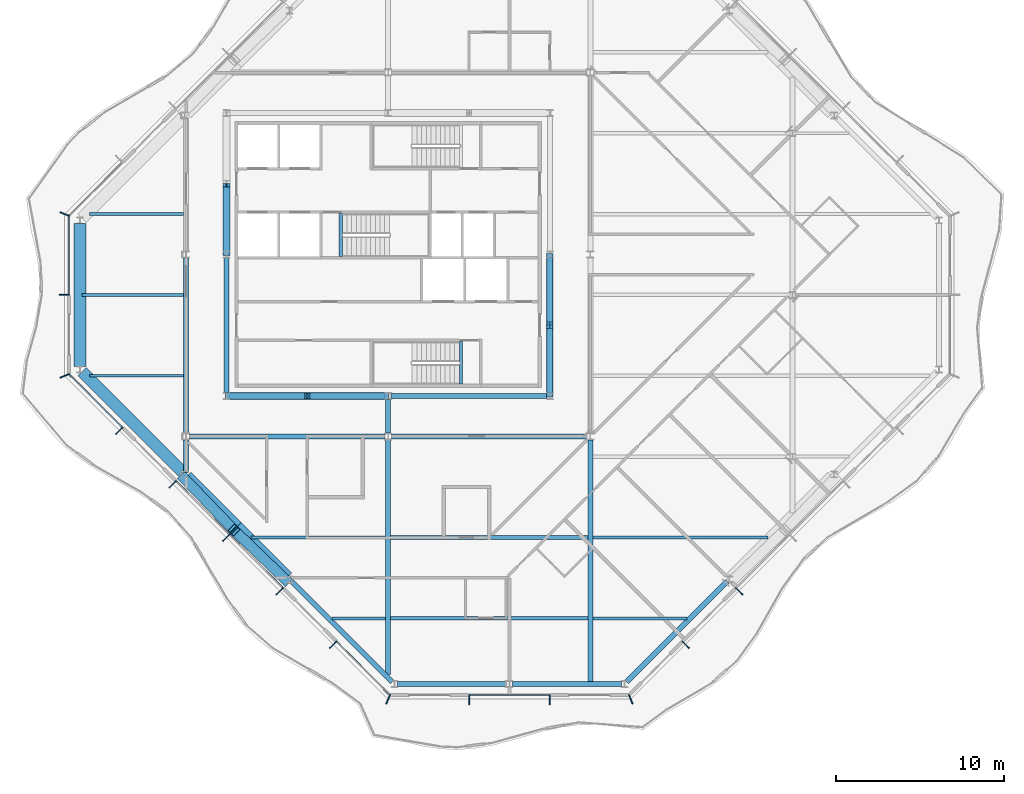
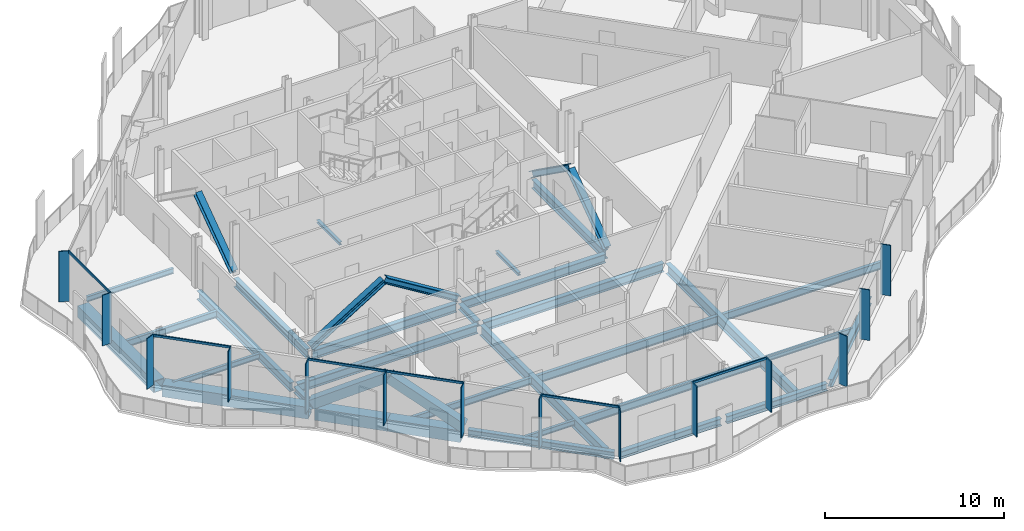
# One storey, part 3 of 17: 30 beams, 27 members, 4 elements without a shape of their own.
"""IFC4 building model written with IfcOpenShell, lengths in metres."""

from ifc_helpers import new_model, si_unit, direction, frame, origin, origin_2d, place, context, subcontext, project, spatial, rectangle, hollow_rectangle, i_section, extrude, material, material_profile, profile_set, type_object, element, aggregate, save


model = new_model("IFC4")

# Units and contexts
model_context = context("Model", 3, precision=1e-05, world=origin(), true_north=direction((0.0, 1.0)))
body_context = subcontext(model_context, "Body", "Model", "MODEL_VIEW")
ifc_project = project(units=[si_unit("LENGTHUNIT", "METRE"), si_unit("AREAUNIT", "SQUARE_METRE"), si_unit("VOLUMEUNIT", "CUBIC_METRE"), si_unit("PLANEANGLEUNIT", "RADIAN"), si_unit("MASSUNIT", "GRAM", prefix="KILO")], contexts=[model_context])

# Site, building, storey
site_placement = place(None, origin())
site = spatial("IfcSite", under=ifc_project, at=site_placement, CompositionType="ELEMENT")
building_placement = place(site_placement, origin())
building = spatial("IfcBuilding", under=site, at=building_placement, Name="Cairn Pilgrim Tower", CompositionType="ELEMENT")
storey_placement = place(building_placement, frame((0.0, 0.0, 281.39990234375)))
storey = spatial("IfcBuildingStorey", under=building, at=storey_placement, Name="L72", CompositionType="ELEMENT", Elevation=281.39990234375)

# Members
ifc_material_1 = material(Name="Structural steel S460M", Category="steel")
ifc_material_profile_1 = material_profile(ifc_material_1, hollow_rectangle(XDim=0.60009765625, YDim=0.60009765625, WallThickness=0.034912109375, at=origin_2d()), Name="BOX 600x600x35")
ifc_profile_set_1 = profile_set([ifc_material_profile_1], Name="Structural steel S460M")
member_type_1 = type_object("IfcMemberType", Name="BOX 600x600x35 BRACE", PredefinedType="BRACE", material=ifc_profile_set_1)
for number, where, z_axis, x_axis, name in (
    (1, (-4.98779296875, -10.80224609375, 0.150146484375), (0.591484186561, -0.613676351503, 0.5230179659), (0.720005582767, 0.693968270733, 0.0), "XB-SW2-SW3-1"),
    (2, (1.19775390625, -16.98779296875, 0.150146484375), (-0.613676351503, 0.591484186561, 0.5230179659), (-0.693968270733, -0.720005582767, 0.0), "XB-SW2-SW3-2"),
):
    element("IfcMember", number, at=place(storey_placement, frame(where, z_axis=z_axis, x_axis=x_axis)), inside=storey, type_object=member_type_1, Name=name, PredefinedType="BRACE", context=body_context, shape_type="SweptSolid", body=[
        extrude(hollow_rectangle(XDim=0.60009765625, YDim=0.60009765625, WallThickness=0.034912109375, at=origin_2d()), origin(), (0.0, 0.0, 1.0), 5.03857421875),
    ])

# Beams
ifc_material_2 = material(Name="Structural steel S355J2", Category="steel")
ifc_material_profile_2 = material_profile(ifc_material_2, hollow_rectangle(XDim=0.699951171875, YDim=0.800048828125, WallThickness=0.0400390625, at=origin_2d()), Name="BOX 700x800x40")
ifc_profile_set_2 = profile_set([ifc_material_profile_2], Name="Structural steel S355J2")
beam_type_1 = type_object("IfcBeamType", Name="BOX 700x800x40 RING GIRDER", PredefinedType="SPANDREL", material=ifc_profile_set_2)
beam_1_placement = place(storey_placement, frame((-11.10009765625, 4.251220703125, -0.5498046875), z_axis=(0.0, -1.0, 0.0), x_axis=(1.0, 0.0, 0.0)))
element("IfcBeam", 3, at=beam_1_placement, inside=storey, type_object=beam_type_1, Name="RG4-W1-SW1", PredefinedType="SPANDREL", context=body_context, shape_type="SweptSolid", body=[
    extrude(hollow_rectangle(XDim=0.699951171875, YDim=0.800048828125, WallThickness=0.0400390625, at=origin_2d()), origin(), (0.0, 0.0, 1.0), 8.50244140625),
])
beam_2_placement = place(storey_placement, frame((-10.9755859375, -4.551513671875, -0.5498046875), z_axis=(0.707092335843, -0.707121226235, 0.0), x_axis=(0.707121226235, 0.707092335843, 0.0)))
element("IfcBeam", 4, at=beam_2_placement, inside=storey, type_object=beam_type_1, Name="RG4-SW1-SW2", PredefinedType="SPANDREL", context=body_context, shape_type="SweptSolid", body=[
    extrude(hollow_rectangle(XDim=0.699951171875, YDim=0.800048828125, WallThickness=0.0400390625, at=origin_2d()), origin(), (0.0, 0.0, 1.0), 8.45068359375),
])
for number, where, z_axis, x_axis, name in (
    (5, (-4.751220703125, -10.77587890625, -0.5498046875), (0.707077889614, -0.707135671578, 0.0), (0.707135671578, 0.707077889614, 0.0), "RG4-SW2-SW3-1"),
    (6, (-1.763671875, -13.763671875, -0.5498046875), (0.707135671578, -0.707077889614, 0.0), (0.707077889614, 0.707135671578, 0.0), "RG4-SW2-SW3-2"),
):
    element("IfcBeam", number, at=place(storey_placement, frame(where, z_axis=z_axis, x_axis=x_axis)), inside=storey, type_object=beam_type_1, Name=name, PredefinedType="SPANDREL", context=body_context, shape_type="SweptSolid", body=[
        extrude(hollow_rectangle(XDim=0.699951171875, YDim=0.800048828125, WallThickness=0.0400390625, at=origin_2d()), origin(), (0.0, 0.0, 1.0), 4.22509765625),
    ])

# Curtain wall, members
ifc_material_3 = material(Name="Aluminium alloy 6063-T6 bronze anodised with Bronze tinted laminated low-E glass 8+16+8.8", Category="aluminium")
curtain_wall_type = type_object("IfcCurtainWallType", Name="CROWN CURTAIN WALL", PredefinedType="NOTDEFINED", material=ifc_material_3)
curtain_wall_1_placement = place(storey_placement, origin())
curtain_wall_1 = element("IfcCurtainWall", 7, at=curtain_wall_1_placement, inside=storey, type_object=curtain_wall_type, Name="Crown Curtain Wall S", PredefinedType="NOTDEFINED")
ifc_material_4 = material(Name="Aluminium alloy 6063-T6 bronze anodised", Category="aluminium")
ifc_material_profile_3 = material_profile(ifc_material_4, rectangle(XDim=0.60009765625, YDim=0.06005859375, at=origin_2d()), Name="FIN MULLION 60x600 BRONZE")
ifc_profile_set_3 = profile_set([ifc_material_profile_3], Name="Aluminium alloy 6063-T6 bronze anodised")
member_type_2 = type_object("IfcMemberType", Name="FIN MULLION 60x600 BRONZE", PredefinedType="MULLION", material=ifc_profile_set_3)
member_1_placement = place(storey_placement, frame((7.2001953125, -23.99951171875, 0.0), z_axis=(0.0, 0.0, 1.0), x_axis=(-0.382683432365, -0.923879532511, 0.0)))
member_1 = element("IfcMember", 8, at=member_1_placement, type_object=member_type_2, Name="Fin mullion S1", PredefinedType="MULLION", context=body_context, shape_type="SweptSolid", body=[
    extrude(rectangle(XDim=0.60009765625, YDim=0.06005859375, at=origin_2d()), origin(), (0.0, 0.0, 1.0), 3.4501953125),
])
member_2_placement = place(storey_placement, frame((12.0, -24.02001953125, 0.0), z_axis=(0.0, 0.0, 1.0), x_axis=(0.0, -1.0, 0.0)))
member_2 = element("IfcMember", 9, at=member_2_placement, type_object=member_type_2, Name="Fin mullion S2", PredefinedType="MULLION", context=body_context, shape_type="SweptSolid", body=[
    extrude(rectangle(XDim=0.60009765625, YDim=0.06005859375, at=origin_2d()), origin(), (0.0, 0.0, 1.0), 3.4501953125),
])
member_3_placement = place(storey_placement, frame((16.800048828125, -24.02001953125, 0.0), z_axis=(0.0, 0.0, 1.0), x_axis=(0.0, -1.0, 0.0)))
member_3 = element("IfcMember", 10, at=member_3_placement, type_object=member_type_2, Name="Fin mullion S3", PredefinedType="MULLION", context=body_context, shape_type="SweptSolid", body=[
    extrude(rectangle(XDim=0.60009765625, YDim=0.06005859375, at=origin_2d()), origin(), (0.0, 0.0, 1.0), 3.4501953125),
])

curtain_wall_2_placement = place(storey_placement, origin())
curtain_wall_2 = element("IfcCurtainWall", 11, at=curtain_wall_2_placement, inside=storey, type_object=curtain_wall_type, Name="Crown Curtain Wall SE", PredefinedType="NOTDEFINED")
member_4_placement = place(storey_placement, frame((21.599853515625, -23.99951171875, 0.0), z_axis=(0.0, 0.0, 1.0), x_axis=(0.382683432365, -0.923879532511, 0.0)))
member_4 = element("IfcMember", 12, at=member_4_placement, type_object=member_type_2, Name="Fin mullion SE1", PredefinedType="MULLION", context=body_context, shape_type="SweptSolid", body=[
    extrude(rectangle(XDim=0.60009765625, YDim=0.06005859375, at=origin_2d()), origin(), (0.0, 0.0, 1.0), 3.4501953125),
])
member_5_placement = place(storey_placement, frame((24.863037109375, -20.765380859375, 0.0), z_axis=(0.0, 0.0, 1.0), x_axis=(0.707106781187, -0.707106781187, 0.0)))
member_5 = element("IfcMember", 13, at=member_5_placement, type_object=member_type_2, Name="Fin mullion SE2", PredefinedType="MULLION", context=body_context, shape_type="SweptSolid", body=[
    extrude(rectangle(XDim=0.60009765625, YDim=0.06005859375, at=origin_2d()), origin(), (0.0, 0.0, 1.0), 3.4501953125),
])
member_6_placement = place(storey_placement, frame((28.03857421875, -17.58984375, 0.0), z_axis=(0.0, 0.0, 1.0), x_axis=(0.707106781187, -0.707106781187, 0.0)))
member_6 = element("IfcMember", 14, at=member_6_placement, type_object=member_type_2, Name="Fin mullion SE3", PredefinedType="MULLION", context=body_context, shape_type="SweptSolid", body=[
    extrude(rectangle(XDim=0.60009765625, YDim=0.06005859375, at=origin_2d()), origin(), (0.0, 0.0, 1.0), 3.4501953125),
])
aggregate(curtain_wall_2, [member_4, member_5, member_6])

curtain_wall_3_placement = place(storey_placement, origin())
curtain_wall_3 = element("IfcCurtainWall", 15, at=curtain_wall_3_placement, inside=storey, type_object=curtain_wall_type, Name="Crown Curtain Wall W", PredefinedType="NOTDEFINED")
member_7_placement = place(storey_placement, frame((-11.99951171875, 4.7998046875, 0.0), z_axis=(0.0, 0.0, 1.0), x_axis=(-0.923879532511, 0.382683432365, 0.0)))
member_7 = element("IfcMember", 16, at=member_7_placement, type_object=member_type_2, Name="Fin mullion W1", PredefinedType="MULLION", context=body_context, shape_type="SweptSolid", body=[
    extrude(rectangle(XDim=0.60009765625, YDim=0.06005859375, at=origin_2d()), origin(), (0.0, 0.0, 1.0), 3.4501953125),
])
member_8_placement = place(storey_placement, frame((-12.02001953125, 0.0, 0.0), z_axis=(0.0, 0.0, 1.0), x_axis=(-1.0, 0.0, 0.0)))
member_8 = element("IfcMember", 17, at=member_8_placement, type_object=member_type_2, Name="Fin mullion W2", PredefinedType="MULLION", context=body_context, shape_type="SweptSolid", body=[
    extrude(rectangle(XDim=0.60009765625, YDim=0.06005859375, at=origin_2d()), origin(), (0.0, 0.0, 1.0), 3.4501953125),
])

curtain_wall_4_placement = place(storey_placement, origin())
curtain_wall_4 = element("IfcCurtainWall", 18, at=curtain_wall_4_placement, inside=storey, type_object=curtain_wall_type, Name="Crown Curtain Wall SW", PredefinedType="NOTDEFINED")
member_9_placement = place(storey_placement, frame((-11.99951171875, -4.7998046875, 0.0), z_axis=(0.0, 0.0, 1.0), x_axis=(-0.923879532511, -0.382683432365, 0.0)))
member_9 = element("IfcMember", 19, at=member_9_placement, type_object=member_type_2, Name="Fin mullion SW1", PredefinedType="MULLION", context=body_context, shape_type="SweptSolid", body=[
    extrude(rectangle(XDim=0.60009765625, YDim=0.06005859375, at=origin_2d()), origin(), (0.0, 0.0, 1.0), 3.4501953125),
])
member_10_placement = place(storey_placement, frame((-8.765380859375, -8.06298828125, 0.0), z_axis=(0.0, 0.0, 1.0), x_axis=(-0.707106781187, -0.707106781187, 0.0)))
member_10 = element("IfcMember", 20, at=member_10_placement, type_object=member_type_2, Name="Fin mullion SW2", PredefinedType="MULLION", context=body_context, shape_type="SweptSolid", body=[
    extrude(rectangle(XDim=0.60009765625, YDim=0.06005859375, at=origin_2d()), origin(), (0.0, 0.0, 1.0), 3.4501953125),
])
member_11_placement = place(storey_placement, frame((-5.58984375, -11.238525390625, 0.0), z_axis=(0.0, 0.0, 1.0), x_axis=(-0.707106781187, -0.707106781187, 0.0)))
member_11 = element("IfcMember", 21, at=member_11_placement, type_object=member_type_2, Name="Fin mullion SW3", PredefinedType="MULLION", context=body_context, shape_type="SweptSolid", body=[
    extrude(rectangle(XDim=0.60009765625, YDim=0.06005859375, at=origin_2d()), origin(), (0.0, 0.0, 1.0), 3.4501953125),
])
member_12_placement = place(storey_placement, frame((-2.4140625, -14.4140625, 0.0), z_axis=(0.0, 0.0, 1.0), x_axis=(-0.707106781187, -0.707106781187, 0.0)))
member_12 = element("IfcMember", 22, at=member_12_placement, type_object=member_type_2, Name="Fin mullion SW4", PredefinedType="MULLION", context=body_context, shape_type="SweptSolid", body=[
    extrude(rectangle(XDim=0.60009765625, YDim=0.06005859375, at=origin_2d()), origin(), (0.0, 0.0, 1.0), 3.4501953125),
])
member_13_placement = place(storey_placement, frame((0.761474609375, -17.58984375, 0.0), z_axis=(0.0, 0.0, 1.0), x_axis=(-0.707106781187, -0.707106781187, 0.0)))
member_13 = element("IfcMember", 23, at=member_13_placement, type_object=member_type_2, Name="Fin mullion SW5", PredefinedType="MULLION", context=body_context, shape_type="SweptSolid", body=[
    extrude(rectangle(XDim=0.60009765625, YDim=0.06005859375, at=origin_2d()), origin(), (0.0, 0.0, 1.0), 3.4501953125),
])
member_14_placement = place(storey_placement, frame((3.93701171875, -20.765380859375, 0.0), z_axis=(0.0, 0.0, 1.0), x_axis=(-0.707106781187, -0.707106781187, 0.0)))
member_14 = element("IfcMember", 24, at=member_14_placement, type_object=member_type_2, Name="Fin mullion SW6", PredefinedType="MULLION", context=body_context, shape_type="SweptSolid", body=[
    extrude(rectangle(XDim=0.60009765625, YDim=0.06005859375, at=origin_2d()), origin(), (0.0, 0.0, 1.0), 3.4501953125),
])

# Members
ifc_material_profile_4 = material_profile(ifc_material_2, i_section(OverallWidth=0.39794921875, OverallDepth=0.386962890625, WebThickness=0.02099609375, FlangeThickness=0.033203125, FilletRadius=0.014892578125, at=origin_2d()), Name="HD 400x262")
ifc_profile_set_4 = profile_set([ifc_material_profile_4], Name="Structural steel S355J2")
member_type_3 = type_object("IfcMemberType", Name="HD 400x262 BRACE", PredefinedType="BRACE", material=ifc_profile_set_4)
for number, where, z_axis, x_axis, name in (
    (25, (-2.360107421875, -6.0, 0.10009765625), (0.85121689147, 0.0, 0.524814065814), (0.0, 1.0, 0.0), "KB-1A"),
    (26, (7.16015625, -6.0, 0.10009765625), (-0.85121689147, 0.0, 0.524814065814), (0.0, -1.0, 0.0), "KB-1B"),
):
    element("IfcMember", number, at=place(storey_placement, frame(where, z_axis=z_axis, x_axis=x_axis)), inside=storey, type_object=member_type_3, Name=name, PredefinedType="BRACE", context=body_context, shape_type="SweptSolid", body=[
        extrude(i_section(OverallWidth=0.39794921875, OverallDepth=0.386962890625, WebThickness=0.02099609375, FlangeThickness=0.033203125, FilletRadius=0.014892578125, at=origin_2d()), origin(), (0.0, 0.0, 1.0), 5.52978515625),
    ])
for number, where, z_axis, x_axis, name in (
    (27, (16.800048828125, -5.960205078125, 0.10009765625), (0.0, 0.814462005215, 0.580216892258), (-1.0, 0.0, 0.0), "KB-2A"),
    (28, (16.800048828125, 2.360107421875, 0.10009765625), (0.0, -0.814462005215, 0.580216892258), (1.0, 0.0, 0.0), "KB-2B"),
    (29, (-2.39990234375, 2.439697265625, 0.10009765625), (0.0, 0.814462005215, 0.580216892258), (-1.0, 0.0, 0.0), "KB-4B"),
):
    element("IfcMember", number, at=place(storey_placement, frame(where, z_axis=z_axis, x_axis=x_axis)), inside=storey, type_object=member_type_3, Name=name, PredefinedType="BRACE", context=body_context, shape_type="SweptSolid", body=[
        extrude(i_section(OverallWidth=0.39794921875, OverallDepth=0.386962890625, WebThickness=0.02099609375, FlangeThickness=0.033203125, FilletRadius=0.014892578125, at=origin_2d()), origin(), (0.0, 0.0, 1.0), 4.999755859375),
    ])

# Beams
ifc_material_profile_5 = material_profile(ifc_material_2, i_section(OverallWidth=0.300048828125, OverallDepth=0.39990234375, WebThickness=0.013427734375, FlangeThickness=0.02392578125, FilletRadius=0.027099609375, at=origin_2d()), Name="HEB 400")
ifc_profile_set_5 = profile_set([ifc_material_profile_5], Name="Structural steel S355J2")
beam_type_2 = type_object("IfcBeamType", Name="HEB 400 GIRDER", PredefinedType="BEAM", material=ifc_profile_set_5)
beam_3_placement = place(storey_placement, frame((-4.800048828125, -10.545166015625, -0.349853515625), z_axis=(0.0, 1.0, 0.0), x_axis=(-1.0, 0.0, 0.0)))
element("IfcBeam", 30, at=beam_3_placement, inside=storey, type_object=beam_type_2, Name="PG2-E1", PredefinedType="BEAM", context=body_context, shape_type="SweptSolid", body=[
    extrude(i_section(OverallWidth=0.300048828125, OverallDepth=0.39990234375, WebThickness=0.013427734375, FlangeThickness=0.02392578125, FilletRadius=0.027099609375, at=origin_2d()), origin(), (0.0, 0.0, 1.0), 1.9482421875),
])
beam_4_placement = place(storey_placement, frame((7.199951171875, -8.202880859375, -0.349853515625), z_axis=(0.0, 1.0, 0.0), x_axis=(-1.0, 0.0, 0.0)))
element("IfcBeam", 31, at=beam_4_placement, inside=storey, type_object=beam_type_2, Name="PG3-E1", PredefinedType="BEAM", context=body_context, shape_type="SweptSolid", body=[
    extrude(i_section(OverallWidth=0.300048828125, OverallDepth=0.39990234375, WebThickness=0.013427734375, FlangeThickness=0.02392578125, FilletRadius=0.027099609375, at=origin_2d()), origin(), (0.0, 0.0, 1.0), 2.00390625),
])
ifc_material_profile_6 = material_profile(ifc_material_2, i_section(OverallWidth=0.300048828125, OverallDepth=0.5, WebThickness=0.014404296875, FlangeThickness=0.028076171875, FilletRadius=0.027099609375, at=origin_2d()), Name="HEB 500")
ifc_profile_set_6 = profile_set([ifc_material_profile_6], Name="Structural steel S355J2")
beam_type_3 = type_object("IfcBeamType", Name="HEB 500 RING GIRDER", PredefinedType="SPANDREL", material=ifc_profile_set_6)
for number, where, z_axis, x_axis, name in (
    (32, (7.748779296875, -23.10009765625, -0.39990234375), (1.0, 0.0, 0.0), (0.0, 1.0, 0.0), "RG4-S1-S2"),
    (33, (14.575927734375, -23.10009765625, -0.39990234375), (1.0, 0.0, 0.0), (0.0, 1.0, 0.0), "RG4-S2-SE1"),
):
    element("IfcBeam", number, at=place(storey_placement, frame(where, z_axis=z_axis, x_axis=x_axis)), inside=storey, type_object=beam_type_3, Name=name, PredefinedType="SPANDREL", context=body_context, shape_type="SweptSolid", body=[
        extrude(i_section(OverallWidth=0.300048828125, OverallDepth=0.5, WebThickness=0.014404296875, FlangeThickness=0.028076171875, FilletRadius=0.027099609375, at=origin_2d()), origin(), (0.0, 0.0, 1.0), 6.475341796875),
    ])
for number, where, z_axis, x_axis, name in (
    (34, (21.3515625, -22.9755859375, -0.39990234375), (0.707121226235, 0.707092335843, 0.0), (-0.707092335843, 0.707121226235, 0.0), "RG4-SE1-SE2"),
    (35, (1.472900390625, -17.000244140625, -0.39990234375), (0.707121226235, -0.707092335843, 0.0), (0.707092335843, 0.707121226235, 0.0), "RG4-SW3-S1"),
):
    element("IfcBeam", number, at=place(storey_placement, frame(where, z_axis=z_axis, x_axis=x_axis)), inside=storey, type_object=beam_type_3, Name=name, PredefinedType="SPANDREL", context=body_context, shape_type="SweptSolid", body=[
        extrude(i_section(OverallWidth=0.300048828125, OverallDepth=0.5, WebThickness=0.014404296875, FlangeThickness=0.028076171875, FilletRadius=0.027099609375, at=origin_2d()), origin(), (0.0, 0.0, 1.0), 8.45068359375),
    ])
ifc_material_profile_7 = material_profile(ifc_material_2, i_section(OverallWidth=0.300048828125, OverallDepth=0.60009765625, WebThickness=0.015380859375, FlangeThickness=0.030029296875, FilletRadius=0.027099609375, at=origin_2d()), Name="HEB 600")
ifc_profile_set_7 = profile_set([ifc_material_profile_7], Name="Structural steel S355J2")
beam_type_4 = type_object("IfcBeamType", Name="HEB 600 CORE BEAM", PredefinedType="BEAM", material=ifc_profile_set_7)
beam_5_placement = place(storey_placement, frame((-2.220947265625, -6.0, -0.449951171875), z_axis=(1.0, 0.0, 0.0), x_axis=(0.0, 1.0, 0.0)))
element("IfcBeam", 36, at=beam_5_placement, inside=storey, type_object=beam_type_4, Name="CB-1", PredefinedType="BEAM", context=body_context, shape_type="SweptSolid", body=[
    extrude(i_section(OverallWidth=0.300048828125, OverallDepth=0.60009765625, WebThickness=0.015380859375, FlangeThickness=0.030029296875, FilletRadius=0.027099609375, at=origin_2d()), origin(), (0.0, 0.0, 1.0), 9.241943359375),
])
beam_6_placement = place(storey_placement, frame((7.379150390625, -6.0, -0.449951171875), z_axis=(1.0, 0.0, 0.0), x_axis=(0.0, 1.0, 0.0)))
element("IfcBeam", 37, at=beam_6_placement, inside=storey, type_object=beam_type_4, Name="CB-2", PredefinedType="BEAM", context=body_context, shape_type="SweptSolid", body=[
    extrude(i_section(OverallWidth=0.300048828125, OverallDepth=0.60009765625, WebThickness=0.015380859375, FlangeThickness=0.030029296875, FilletRadius=0.027099609375, at=origin_2d()), origin(), (0.0, 0.0, 1.0), 9.24169921875),
])
for number, where, z_axis, x_axis, name in (
    (38, (16.800048828125, -5.82080078125, -0.449951171875), (0.0, 1.0, 0.0), (-1.0, 0.0, 0.0), "CB-3"),
    (39, (-2.39990234375, 2.220947265625, -0.449951171875), (0.0, -1.0, 0.0), (1.0, 0.0, 0.0), "CB-8"),
):
    element("IfcBeam", number, at=place(storey_placement, frame(where, z_axis=z_axis, x_axis=x_axis)), inside=storey, type_object=beam_type_4, Name=name, PredefinedType="BEAM", context=body_context, shape_type="SweptSolid", body=[
        extrude(i_section(OverallWidth=0.300048828125, OverallDepth=0.60009765625, WebThickness=0.015380859375, FlangeThickness=0.030029296875, FilletRadius=0.027099609375, at=origin_2d()), origin(), (0.0, 0.0, 1.0), 8.041748046875),
    ])
ifc_material_profile_8 = material_profile(ifc_material_2, i_section(OverallWidth=0.300048828125, OverallDepth=0.60009765625, WebThickness=0.015380859375, FlangeThickness=0.030029296875, FilletRadius=0.027099609375, at=origin_2d()), Name="HEB 600")
ifc_profile_set_8 = profile_set([ifc_material_profile_8], Name="Structural steel S355J2")
beam_type_5 = type_object("IfcBeamType", Name="HEB 600 GIRDER", PredefinedType="BEAM", material=ifc_profile_set_8)
beam_7_placement = place(storey_placement, frame((-4.800048828125, -8.202880859375, -0.449951171875), z_axis=(0.0, 1.0, 0.0), x_axis=(-1.0, 0.0, 0.0)))
element("IfcBeam", 40, at=beam_7_placement, inside=storey, type_object=beam_type_5, Name="PG2-1", PredefinedType="BEAM", context=body_context, shape_type="SweptSolid", body=[
    extrude(i_section(OverallWidth=0.300048828125, OverallDepth=0.60009765625, WebThickness=0.015380859375, FlangeThickness=0.030029296875, FilletRadius=0.027099609375, at=origin_2d()), origin(), (0.0, 0.0, 1.0), 10.40576171875),
])
ifc_material_profile_9 = material_profile(ifc_material_2, i_section(OverallWidth=0.300048828125, OverallDepth=0.60009765625, WebThickness=0.015380859375, FlangeThickness=0.030029296875, FilletRadius=0.027099609375, at=origin_2d()), Name="HEB 600")
ifc_profile_set_9 = profile_set([ifc_material_profile_9], Name="Structural steel S355J2")
beam_type_6 = type_object("IfcBeamType", Name="HEB 600 INNER GIRDER", PredefinedType="BEAM", material=ifc_profile_set_9)
for number, where, z_axis, x_axis, name in (
    (41, (-4.60302734375, -8.39990234375, -0.449951171875), (1.0, 0.0, 0.0), (0.0, 1.0, 0.0), "IG1-1"),
    (42, (7.39697265625, -8.39990234375, -0.449951171875), (1.0, 0.0, 0.0), (0.0, 1.0, 0.0), "IG1-2"),
):
    element("IfcBeam", number, at=place(storey_placement, frame(where, z_axis=z_axis, x_axis=x_axis)), inside=storey, type_object=beam_type_6, Name=name, PredefinedType="BEAM", context=body_context, shape_type="SweptSolid", body=[
        extrude(i_section(OverallWidth=0.300048828125, OverallDepth=0.60009765625, WebThickness=0.015380859375, FlangeThickness=0.030029296875, FilletRadius=0.027099609375, at=origin_2d()), origin(), (0.0, 0.0, 1.0), 11.60595703125),
    ])
ifc_material_profile_10 = material_profile(ifc_material_2, i_section(OverallWidth=0.300048828125, OverallDepth=0.699951171875, WebThickness=0.01708984375, FlangeThickness=0.031982421875, FilletRadius=0.027099609375, at=origin_2d()), Name="HEB 700")
ifc_profile_set_10 = profile_set([ifc_material_profile_10], Name="Structural steel S355J2")
beam_type_7 = type_object("IfcBeamType", Name="HEB 700 GIRDER", PredefinedType="BEAM", material=ifc_profile_set_10)
beam_8_placement = place(storey_placement, frame((7.199951171875, -22.545166015625, -0.5), z_axis=(0.0, 1.0, 0.0), x_axis=(-1.0, 0.0, 0.0)))
element("IfcBeam", 43, at=beam_8_placement, inside=storey, type_object=beam_type_7, Name="PG3-1", PredefinedType="BEAM", context=body_context, shape_type="SweptSolid", body=[
    extrude(i_section(OverallWidth=0.300048828125, OverallDepth=0.699951171875, WebThickness=0.01708984375, FlangeThickness=0.031982421875, FilletRadius=0.027099609375, at=origin_2d()), origin(), (0.0, 0.0, 1.0), 13.9482421875),
])
beam_9_placement = place(storey_placement, frame((19.199951171875, -22.97998046875, -0.5), z_axis=(0.0, 1.0, 0.0), x_axis=(-1.0, 0.0, 0.0)))
element("IfcBeam", 44, at=beam_9_placement, inside=storey, type_object=beam_type_7, Name="PG4-1", PredefinedType="BEAM", context=body_context, shape_type="SweptSolid", body=[
    extrude(i_section(OverallWidth=0.300048828125, OverallDepth=0.699951171875, WebThickness=0.01708984375, FlangeThickness=0.031982421875, FilletRadius=0.027099609375, at=origin_2d()), origin(), (0.0, 0.0, 1.0), 14.383056640625),
])
ifc_material_profile_11 = material_profile(ifc_material_2, i_section(OverallWidth=0.169921875, OverallDepth=0.360107421875, WebThickness=0.008056640625, FlangeThickness=0.0126953125, FilletRadius=0.01806640625, at=origin_2d()), Name="IPE 360")
ifc_profile_set_11 = profile_set([ifc_material_profile_11], Name="Structural steel S355J2")
beam_type_8 = type_object("IfcBeamType", Name="IPE 360 SECONDARY BEAM", PredefinedType="JOIST", material=ifc_profile_set_11)
beam_10_placement = place(storey_placement, frame((3.85498046875, -19.199951171875, -0.329833984375), z_axis=(1.0, 0.0, 0.0), x_axis=(0.0, 1.0, 0.0)))
element("IfcBeam", 45, at=beam_10_placement, inside=storey, type_object=beam_type_8, Name="SB1-1", PredefinedType="JOIST", context=body_context, shape_type="SweptSolid", body=[
    extrude(i_section(OverallWidth=0.169921875, OverallDepth=0.360107421875, WebThickness=0.008056640625, FlangeThickness=0.0126953125, FilletRadius=0.01806640625, at=origin_2d()), origin(), (0.0, 0.0, 1.0), 3.195068359375),
])
beam_11_placement = place(storey_placement, frame((19.35009765625, -19.199951171875, -0.329833984375), z_axis=(1.0, 0.0, 0.0), x_axis=(0.0, 1.0, 0.0)))
element("IfcBeam", 46, at=beam_11_placement, inside=storey, type_object=beam_type_8, Name="SB1-3", PredefinedType="JOIST", context=body_context, shape_type="SweptSolid", body=[
    extrude(i_section(OverallWidth=0.169921875, OverallDepth=0.360107421875, WebThickness=0.008056640625, FlangeThickness=0.0126953125, FilletRadius=0.01806640625, at=origin_2d()), origin(), (0.0, 0.0, 1.0), 5.594970703125),
])
for number, where, z_axis, x_axis, name in (
    (47, (-10.545166015625, -4.800048828125, -0.329833984375), (1.0, 0.0, 0.0), (0.0, 1.0, 0.0), "SB4-1"),
    (48, (-10.545166015625, 4.800048828125, -0.329833984375), (1.0, 0.0, 0.0), (0.0, 1.0, 0.0), "SB6-1"),
):
    element("IfcBeam", number, at=place(storey_placement, frame(where, z_axis=z_axis, x_axis=x_axis)), inside=storey, type_object=beam_type_8, Name=name, PredefinedType="JOIST", context=body_context, shape_type="SweptSolid", body=[
        extrude(i_section(OverallWidth=0.169921875, OverallDepth=0.360107421875, WebThickness=0.008056640625, FlangeThickness=0.0126953125, FilletRadius=0.01806640625, at=origin_2d()), origin(), (0.0, 0.0, 1.0), 5.59521484375),
    ])
ifc_material_profile_12 = material_profile(ifc_material_2, i_section(OverallWidth=0.18994140625, OverallDepth=0.449951171875, WebThickness=0.009521484375, FlangeThickness=0.0146484375, FilletRadius=0.02099609375, at=origin_2d()), Name="IPE 450")
ifc_profile_set_12 = profile_set([ifc_material_profile_12], Name="Structural steel S355J2")
beam_type_9 = type_object("IfcBeamType", Name="IPE 450 SECONDARY BEAM", PredefinedType="JOIST", material=ifc_profile_set_12)
beam_12_placement = place(storey_placement, frame((-0.945068359375, -14.39990234375, -0.375), z_axis=(1.0, 0.0, 0.0), x_axis=(0.0, 1.0, 0.0)))
element("IfcBeam", 49, at=beam_12_placement, inside=storey, type_object=beam_type_9, Name="SB2-1", PredefinedType="JOIST", context=body_context, shape_type="SweptSolid", body=[
    extrude(i_section(OverallWidth=0.18994140625, OverallDepth=0.449951171875, WebThickness=0.009521484375, FlangeThickness=0.0146484375, FilletRadius=0.02099609375, at=origin_2d()), origin(), (0.0, 0.0, 1.0), 7.9951171875),
])
beam_13_placement = place(storey_placement, frame((-10.97998046875, 0.0, -0.375), z_axis=(1.0, 0.0, 0.0), x_axis=(0.0, 1.0, 0.0)))
element("IfcBeam", 50, at=beam_13_placement, inside=storey, type_object=beam_type_9, Name="SB5-1", PredefinedType="JOIST", context=body_context, shape_type="SweptSolid", body=[
    extrude(i_section(OverallWidth=0.18994140625, OverallDepth=0.449951171875, WebThickness=0.009521484375, FlangeThickness=0.0146484375, FilletRadius=0.02099609375, at=origin_2d()), origin(), (0.0, 0.0, 1.0), 6.030029296875),
])
ifc_material_profile_13 = material_profile(ifc_material_2, i_section(OverallWidth=0.199951171875, OverallDepth=0.5, WebThickness=0.01025390625, FlangeThickness=0.01611328125, FilletRadius=0.02099609375, at=origin_2d()), Name="IPE 500")
ifc_profile_set_13 = profile_set([ifc_material_profile_13], Name="Structural steel S355J2")
beam_type_10 = type_object("IfcBeamType", Name="IPE 500 SECONDARY BEAM", PredefinedType="JOIST", material=ifc_profile_set_13)
beam_14_placement = place(storey_placement, frame((19.35009765625, -14.39990234375, -0.39990234375), z_axis=(1.0, 0.0, 0.0), x_axis=(0.0, 1.0, 0.0)))
element("IfcBeam", 51, at=beam_14_placement, inside=storey, type_object=beam_type_10, Name="SB2-3", PredefinedType="JOIST", context=body_context, shape_type="SweptSolid", body=[
    extrude(i_section(OverallWidth=0.199951171875, OverallDepth=0.5, WebThickness=0.01025390625, FlangeThickness=0.01611328125, FilletRadius=0.02099609375, at=origin_2d()), origin(), (0.0, 0.0, 1.0), 10.39501953125),
])
ifc_material_profile_14 = material_profile(ifc_material_2, i_section(OverallWidth=0.2099609375, OverallDepth=0.550048828125, WebThickness=0.010986328125, FlangeThickness=0.01708984375, FilletRadius=0.02392578125, at=origin_2d()), Name="IPE 550")
ifc_profile_set_14 = profile_set([ifc_material_profile_14], Name="Structural steel S355J2")
beam_type_11 = type_object("IfcBeamType", Name="IPE 550 SECONDARY BEAM", PredefinedType="JOIST", material=ifc_profile_set_14)
for number, where, z_axis, x_axis, name in (
    (52, (7.35009765625, -19.199951171875, -0.4248046875), (1.0, 0.0, 0.0), (0.0, 1.0, 0.0), "SB1-2"),
    (53, (7.35009765625, -14.39990234375, -0.4248046875), (1.0, 0.0, 0.0), (0.0, 1.0, 0.0), "SB2-2"),
):
    element("IfcBeam", number, at=place(storey_placement, frame(where, z_axis=z_axis, x_axis=x_axis)), inside=storey, type_object=beam_type_11, Name=name, PredefinedType="JOIST", context=body_context, shape_type="SweptSolid", body=[
        extrude(i_section(OverallWidth=0.2099609375, OverallDepth=0.550048828125, WebThickness=0.010986328125, FlangeThickness=0.01708984375, FilletRadius=0.02392578125, at=origin_2d()), origin(), (0.0, 0.0, 1.0), 11.699951171875),
    ])
ifc_material_profile_15 = material_profile(ifc_material_2, i_section(OverallWidth=0.199951171875, OverallDepth=0.199951171875, WebThickness=0.009033203125, FlangeThickness=0.014892578125, FilletRadius=0.01806640625, at=origin_2d()), Name="HE 200 B")
ifc_profile_set_15 = profile_set([ifc_material_profile_15], Name="Structural steel S355J2")
beam_type_12 = type_object("IfcBeamType", Name="STAIR LANDING BEAM HE 200 B", PredefinedType="BEAM", material=ifc_profile_set_15)
beam_15_placement = place(storey_placement, frame((11.5244140625, -2.77490234375, -0.25), z_axis=(0.0, -1.0, 0.0), x_axis=(1.0, 0.0, 0.0)))
element("IfcBeam", 54, at=beam_15_placement, inside=storey, type_object=beam_type_12, Name="STAIR LANDING BEAM LD-HE200B", PredefinedType="BEAM", context=body_context, shape_type="SweptSolid", body=[
    extrude(i_section(OverallWidth=0.199951171875, OverallDepth=0.199951171875, WebThickness=0.009033203125, FlangeThickness=0.014892578125, FilletRadius=0.01806640625, at=origin_2d()), origin(), (0.0, 0.0, 1.0), 2.525146484375),
])
beam_16_placement = place(storey_placement, frame((4.37548828125, 2.27490234375, -0.25), z_axis=(0.0, 1.0, 0.0), x_axis=(-1.0, 0.0, 0.0)))
element("IfcBeam", 55, at=beam_16_placement, inside=storey, type_object=beam_type_12, Name="STAIR LANDING BEAM LD-HE200B", PredefinedType="BEAM", context=body_context, shape_type="SweptSolid", body=[
    extrude(i_section(OverallWidth=0.199951171875, OverallDepth=0.199951171875, WebThickness=0.009033203125, FlangeThickness=0.014892578125, FilletRadius=0.01806640625, at=origin_2d()), origin(), (0.0, 0.0, 1.0), 2.550048828125),
])

# Member
ifc_material_profile_16 = material_profile(ifc_material_4, rectangle(XDim=0.080078125, YDim=0.14990234375, at=origin_2d()), Name="TRANSOM 80x150 BRONZE")
ifc_profile_set_16 = profile_set([ifc_material_profile_16], Name="Aluminium alloy 6063-T6 bronze anodised")
member_type_4 = type_object("IfcMemberType", Name="TRANSOM 80x150 BRONZE", PredefinedType="USERDEFINED", material=ifc_profile_set_16)
member_15_placement = place(storey_placement, frame((12.030029296875, -23.75, 3.375), z_axis=(1.0, 0.0, 0.0), x_axis=(0.0, 1.0, 0.0)))
member_15 = element("IfcMember", 56, at=member_15_placement, type_object=member_type_4, Name="Transom S2", ObjectType="TRANSOM", PredefinedType="USERDEFINED", context=body_context, shape_type="SweptSolid", body=[
    extrude(rectangle(XDim=0.080078125, YDim=0.14990234375, at=origin_2d()), origin(), (0.0, 0.0, 1.0), 4.739990234375),
])

aggregate(curtain_wall_1, [member_1, member_2, member_3, member_15])

member_16_placement = place(storey_placement, frame((-11.75, 4.656494140625, 3.375), z_axis=(0.0, -1.0, 0.0), x_axis=(1.0, 0.0, 0.0)))
member_16 = element("IfcMember", 57, at=member_16_placement, type_object=member_type_4, Name="Transom W1", ObjectType="TRANSOM", PredefinedType="USERDEFINED", context=body_context, shape_type="SweptSolid", body=[
    extrude(rectangle(XDim=0.080078125, YDim=0.14990234375, at=origin_2d()), origin(), (0.0, 0.0, 1.0), 4.62646484375),
])

aggregate(curtain_wall_3, [member_7, member_8, member_16])

member_17_placement = place(storey_placement, frame((-11.7216796875, -4.724609375, 3.375), z_axis=(0.707079168996, -0.707134392299, 0.0), x_axis=(0.707134392299, 0.707079168996, 0.0)))
member_17 = element("IfcMember", 58, at=member_17_placement, type_object=member_type_4, Name="Transom SW1", ObjectType="TRANSOM", PredefinedType="USERDEFINED", context=body_context, shape_type="SweptSolid", body=[
    extrude(rectangle(XDim=0.080078125, YDim=0.14990234375, at=origin_2d()), origin(), (0.0, 0.0, 1.0), 4.4208984375),
])

member_18_placement = place(storey_placement, frame((-5.377685546875, -11.06884765625, 3.375), z_axis=(0.707134329907, -0.707079231393, 0.0), x_axis=(0.707079231393, 0.707134329907, 0.0)))
member_18 = element("IfcMember", 59, at=member_18_placement, type_object=member_type_4, Name="Transom SW3", ObjectType="TRANSOM", PredefinedType="USERDEFINED", context=body_context, shape_type="SweptSolid", body=[
    extrude(rectangle(XDim=0.080078125, YDim=0.14990234375, at=origin_2d()), origin(), (0.0, 0.0, 1.0), 4.430908203125),
])

member_19_placement = place(storey_placement, frame((-2.201904296875, -14.244384765625, 3.375), z_axis=(0.707079231393, -0.707134329907, 0.0), x_axis=(0.707134329907, 0.707079231393, 0.0)))
member_19 = element("IfcMember", 60, at=member_19_placement, type_object=member_type_4, Name="Transom SW4", ObjectType="TRANSOM", PredefinedType="USERDEFINED", context=body_context, shape_type="SweptSolid", body=[
    extrude(rectangle(XDim=0.080078125, YDim=0.14990234375, at=origin_2d()), origin(), (0.0, 0.0, 1.0), 4.430908203125),
])

member_20_placement = place(storey_placement, frame((4.149169921875, -20.595703125, 3.375), z_axis=(0.707134392299, -0.707079168996, 0.0), x_axis=(0.707079168996, 0.707134392299, 0.0)))
member_20 = element("IfcMember", 61, at=member_20_placement, type_object=member_type_4, Name="Transom SW6", ObjectType="TRANSOM", PredefinedType="USERDEFINED", context=body_context, shape_type="SweptSolid", body=[
    extrude(rectangle(XDim=0.080078125, YDim=0.14990234375, at=origin_2d()), origin(), (0.0, 0.0, 1.0), 4.4208984375),
])

aggregate(curtain_wall_4, [member_9, member_10, member_11, member_12, member_13, member_14, member_17, member_18, member_19, member_20])

save(model, "model.ifc")
